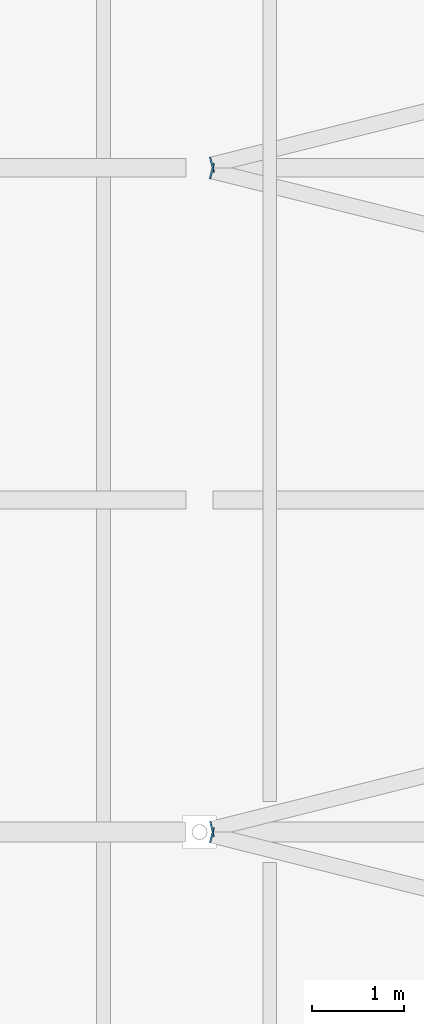
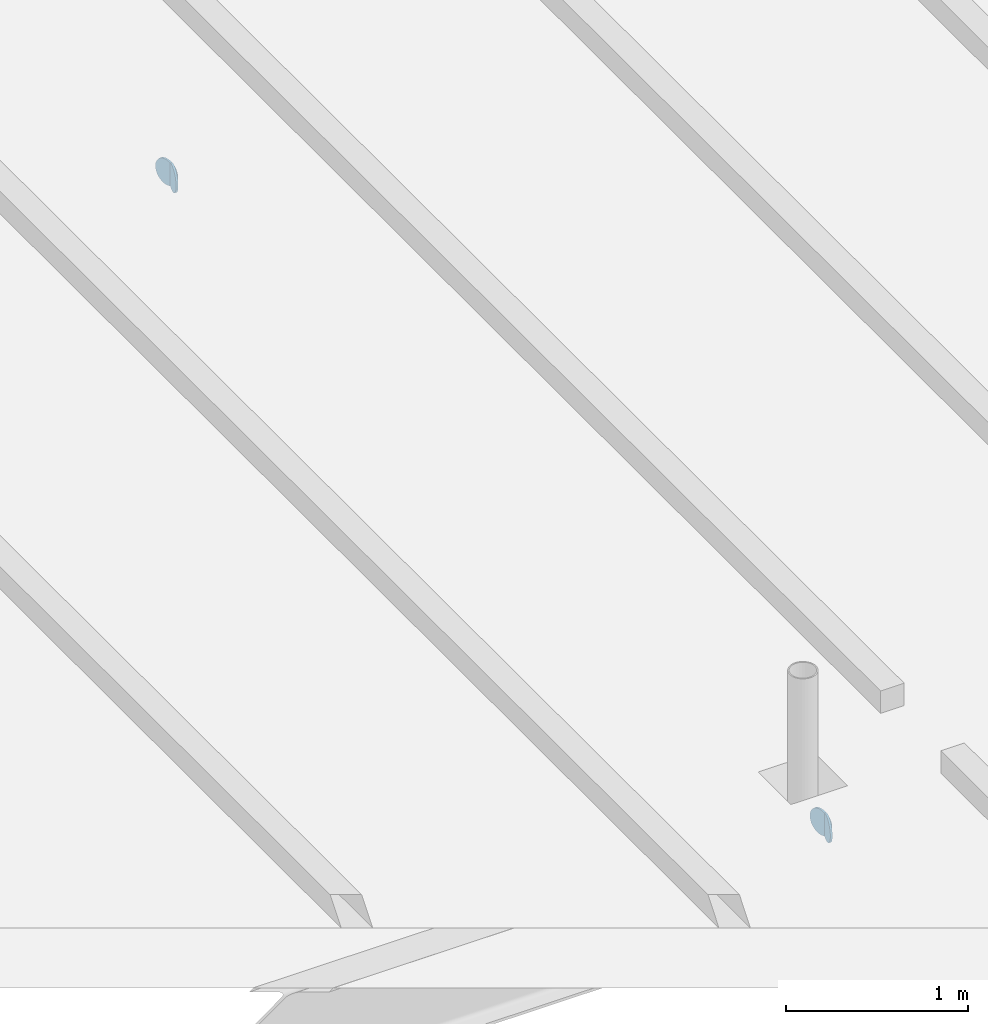
# One storey, part 97 of 120: 4 discrete accessories.
"""IFC4 building model written with IfcOpenShell, lengths in metres."""

from ifc_helpers import new_model, si_unit, direction, frame, origin, origin_2d, place, context, subcontext, project, spatial, circle, extrude, material, layer, layer_set, type_object, element, save


model = new_model("IFC4")

# Units and contexts
model_context = context("Model", 3, precision=1e-05, world=origin(), true_north=direction((0.0, 1.0)))
body_context = subcontext(model_context, "Body", "Model", "MODEL_VIEW")
ifc_project = project(units=[si_unit("LENGTHUNIT", "METRE"), si_unit("AREAUNIT", "SQUARE_METRE"), si_unit("VOLUMEUNIT", "CUBIC_METRE"), si_unit("PLANEANGLEUNIT", "RADIAN"), si_unit("MASSUNIT", "GRAM", prefix="KILO")], contexts=[model_context])

# Site, building, storey
site_placement = place(None, origin())
site = spatial("IfcSite", under=ifc_project, at=site_placement, CompositionType="ELEMENT")
building_placement = place(site_placement, origin())
building = spatial("IfcBuilding", under=site, at=building_placement, Name="Kupolbacken Congress Centre", CompositionType="ELEMENT")
storey_placement = place(building_placement, frame((0.0, 0.0, 21.60009765625)))
storey = spatial("IfcBuildingStorey", under=building, at=storey_placement, Name="L06", CompositionType="ELEMENT", Elevation=21.60009765625)

# Discrete accessories
ifc_material = material(Name="Steel S355", Category="steel")
ifc_layer = layer(ifc_material, 0.011962890625)
ifc_layer_set = layer_set([ifc_layer], Name="Steel S355")
discrete_accessory_type = type_object("IfcDiscreteAccessoryType", Name="EC2 tube end cap plate 168 dia x 12", PredefinedType="BRACKET", material=ifc_layer_set)
for number, where, z_axis, x_axis, name in (
    (1, (180.140625, 61.164794921875, -0.084228515625), (-0.970142500145, 0.242535625036, 0.0), (-0.242535625036, -0.970142500145, 0.0), "End cap plate HR/RB/07-04 B"),
    (2, (180.140625, 61.235107421875, -0.084228515625), (-0.974732318528, -0.223376156329, 0.0), (0.223376156329, -0.974732318528, 0.0), "End cap plate HR/RB/07-05 A"),
    (3, (180.140625, 68.36474609375, -0.084228515625), (-0.970142500145, 0.242535625036, 0.0), (-0.242535625036, -0.970142500145, 0.0), "End cap plate HR/RB/07-06 B"),
    (4, (180.140625, 68.435302734375, -0.084228515625), (-0.970142500145, -0.242535625036, 0.0), (0.242535625036, -0.970142500145, 0.0), "End cap plate HR/RB/07-07 A"),
):
    element("IfcDiscreteAccessory", number, at=place(storey_placement, frame(where, z_axis=z_axis, x_axis=x_axis)), inside=storey, type_object=discrete_accessory_type, Name=name, PredefinedType="BRACKET", context=body_context, shape_type="SweptSolid", body=[
        extrude(circle(Radius=0.084228515625, at=origin_2d()), origin(), (0.0, 0.0, 1.0), 0.011962890625),
    ])

save(model, "model.ifc")
